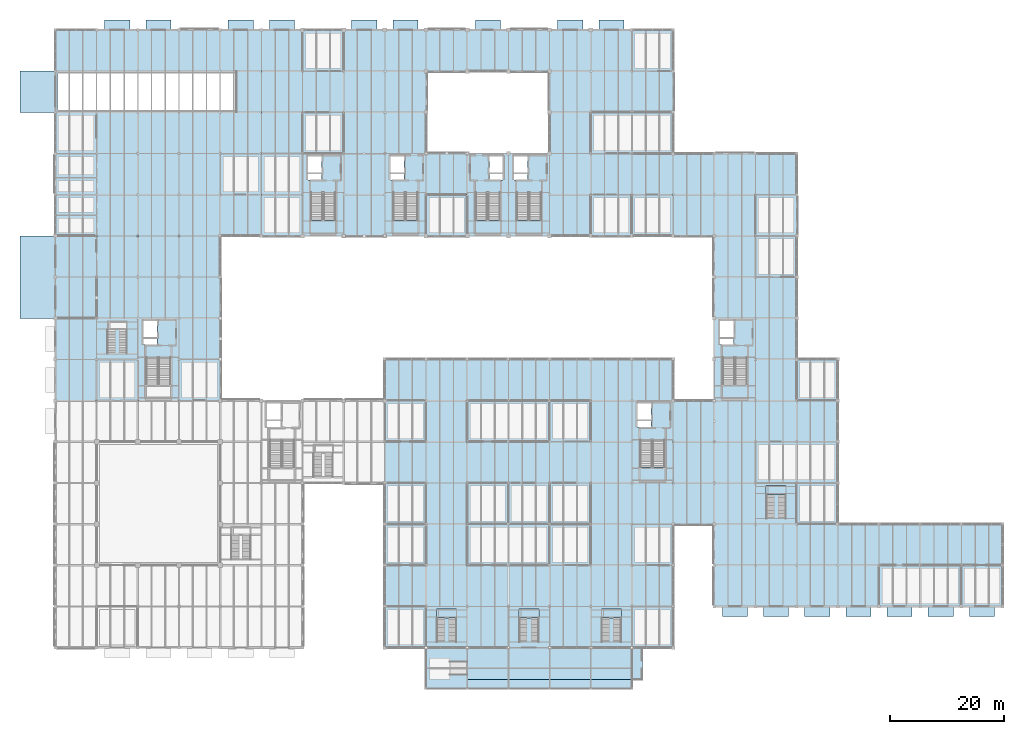
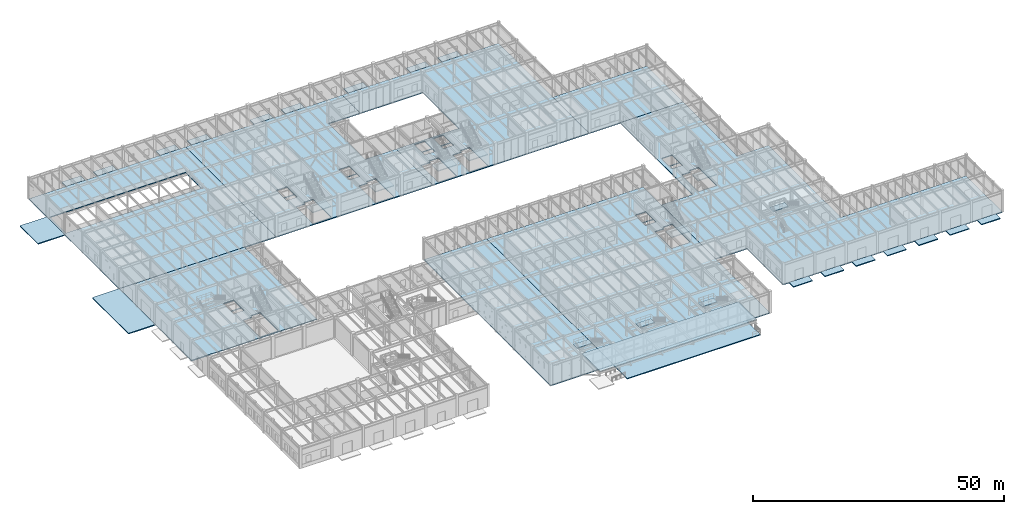
# One storey, part 30 of 97: 38 slabs, 10 elements without a shape of their own.
"""IFC4 building model written with IfcOpenShell, lengths in metres."""

from ifc_helpers import new_model, si_unit, direction, frame, origin, place, context, subcontext, project, spatial, polyline, outline, extrude, material, layer, layer_set, type_object, element, aggregate, save


model = new_model("IFC4")

# Units and contexts
model_context = context("Model", 3, precision=1e-05, world=origin(), true_north=direction((0.0, 1.0)))
body_context = subcontext(model_context, "Body", "Model", "MODEL_VIEW")
ifc_project = project(units=[si_unit("LENGTHUNIT", "METRE"), si_unit("AREAUNIT", "SQUARE_METRE"), si_unit("VOLUMEUNIT", "CUBIC_METRE"), si_unit("PLANEANGLEUNIT", "RADIAN"), si_unit("MASSUNIT", "GRAM", prefix="KILO")], contexts=[model_context])

# Site, building, storey
site_placement = place(None, origin())
site = spatial("IfcSite", under=ifc_project, at=site_placement, CompositionType="ELEMENT")
building_placement = place(site_placement, origin())
building = spatial("IfcBuilding", under=site, at=building_placement, Name="Sillqori Civic Hall", CompositionType="ELEMENT")
storey_placement = place(building_placement, origin())
storey = spatial("IfcBuildingStorey", under=building, at=storey_placement, Name="L01", CompositionType="ELEMENT", Elevation=0.0)

# Slabs
ifc_material_1 = material(Name="Concrete C35/45 (H35)", Category="concrete")
ifc_layer_1 = layer(ifc_material_1, 0.219970703125)
ifc_layer_set_1 = layer_set([ifc_layer_1], Name="Concrete C35/45 (H35)")
slab_type_1 = type_object("IfcSlabType", Name="SLB-BASE-220", PredefinedType="BASESLAB", material=ifc_layer_set_1)
slab_1_placement = place(storey_placement, frame((0.0, 0.0, -0.219970703125)))
element("IfcSlab", 1, at=slab_1_placement, inside=storey, type_object=slab_type_1, Name="Car park ramp grade apron", PredefinedType="BASESLAB", context=body_context, shape_type="SweptSolid", body=[
    extrude(outline(polyline([(7.199951171875, 100.800048828125), (7.199951171875, 108.0), (1.0, 108.0), (1.0, 100.800048828125), (7.199951171875, 100.800048828125)])), origin(), (0.0, 0.0, 1.0), 0.219970703125),
])
slab_2_placement = place(storey_placement, frame((0.0, 0.0, -0.219970703125)))
element("IfcSlab", 2, at=slab_2_placement, inside=storey, type_object=slab_type_1, Name="Truck loading dock grade apron", PredefinedType="BASESLAB", context=body_context, shape_type="SweptSolid", body=[
    extrude(outline(polyline([(7.199951171875, 64.800048828125), (7.199951171875, 79.199951171875), (1.0, 79.199951171875), (1.0, 64.800048828125), (7.199951171875, 64.800048828125)])), origin(), (0.0, 0.0, 1.0), 0.219970703125),
])
slab_3_placement = place(storey_placement, frame((0.0, 0.0, -0.219970703125)))
element("IfcSlab", 3, at=slab_3_placement, inside=storey, type_object=slab_type_1, Name="Forecourt accessible arrival deck", PredefinedType="BASESLAB", context=body_context, shape_type="SweptSolid", body=[
    extrude(outline(polyline([(109.800048828125, 1.60009765625), (109.800048828125, 7.199951171875), (79.199951171875, 7.199951171875), (79.199951171875, 1.60009765625), (109.800048828125, 1.60009765625)])), origin(), (0.0, 0.0, 1.0), 0.219970703125),
])
slab_4_placement = place(storey_placement, frame((0.0, 0.0, -0.219970703125)))
element("IfcSlab", 4, at=slab_4_placement, inside=storey, type_object=slab_type_1, Name="North Civic Garden Far West Exit entrance landing pad", PredefinedType="BASESLAB", context=body_context, shape_type="SweptSolid", body=[
    extrude(outline(polyline([(15.800048828125, 115.199951171875), (20.199951171875, 115.199951171875), (20.199951171875, 116.949951171875), (15.800048828125, 116.949951171875), (15.800048828125, 115.199951171875)])), origin(), (0.0, 0.0, 1.0), 0.219970703125),
])
slab_5_placement = place(storey_placement, frame((0.0, 0.0, -0.219970703125)))
element("IfcSlab", 5, at=slab_5_placement, inside=storey, type_object=slab_type_1, Name="North Civic Garden West Exit entrance landing pad", PredefinedType="BASESLAB", context=body_context, shape_type="SweptSolid", body=[
    extrude(outline(polyline([(23.0, 115.199951171875), (27.39990234375, 115.199951171875), (27.39990234375, 116.949951171875), (23.0, 116.949951171875), (23.0, 115.199951171875)])), origin(), (0.0, 0.0, 1.0), 0.219970703125),
])
slab_6_placement = place(storey_placement, frame((0.0, 0.0, -0.219970703125)))
element("IfcSlab", 6, at=slab_6_placement, inside=storey, type_object=slab_type_1, Name="North Civic Garden Promenade Exit entrance landing pad", PredefinedType="BASESLAB", context=body_context, shape_type="SweptSolid", body=[
    extrude(outline(polyline([(37.39990234375, 115.199951171875), (41.800048828125, 115.199951171875), (41.800048828125, 116.949951171875), (37.39990234375, 116.949951171875), (37.39990234375, 115.199951171875)])), origin(), (0.0, 0.0, 1.0), 0.219970703125),
])
slab_7_placement = place(storey_placement, frame((0.0, 0.0, -0.219970703125)))
element("IfcSlab", 7, at=slab_7_placement, inside=storey, type_object=slab_type_1, Name="North Civic Garden Core C5 Exit entrance landing pad", PredefinedType="BASESLAB", context=body_context, shape_type="SweptSolid", body=[
    extrude(outline(polyline([(44.60009765625, 115.199951171875), (49.0, 115.199951171875), (49.0, 116.949951171875), (44.60009765625, 116.949951171875), (44.60009765625, 115.199951171875)])), origin(), (0.0, 0.0, 1.0), 0.219970703125),
])
slab_8_placement = place(storey_placement, frame((0.0, 0.0, -0.219970703125)))
element("IfcSlab", 8, at=slab_8_placement, inside=storey, type_object=slab_type_1, Name="North Civic Garden Core C6 Exit entrance landing pad", PredefinedType="BASESLAB", context=body_context, shape_type="SweptSolid", body=[
    extrude(outline(polyline([(59.0, 115.199951171875), (63.39990234375, 115.199951171875), (63.39990234375, 116.949951171875), (59.0, 116.949951171875), (59.0, 115.199951171875)])), origin(), (0.0, 0.0, 1.0), 0.219970703125),
])
slab_9_placement = place(storey_placement, frame((0.0, 0.0, -0.219970703125)))
element("IfcSlab", 9, at=slab_9_placement, inside=storey, type_object=slab_type_1, Name="North Civic Garden Courtyard Portal entrance landing pad", PredefinedType="BASESLAB", context=body_context, shape_type="SweptSolid", body=[
    extrude(outline(polyline([(66.199951171875, 115.199951171875), (70.60009765625, 115.199951171875), (70.60009765625, 116.949951171875), (66.199951171875, 116.949951171875), (66.199951171875, 115.199951171875)])), origin(), (0.0, 0.0, 1.0), 0.219970703125),
])
slab_10_placement = place(storey_placement, frame((0.0, 0.0, -0.219970703125)))
element("IfcSlab", 10, at=slab_10_placement, inside=storey, type_object=slab_type_1, Name="North Civic Garden Courtyard Exit entrance landing pad", PredefinedType="BASESLAB", context=body_context, shape_type="SweptSolid", body=[
    extrude(outline(polyline([(80.60009765625, 115.199951171875), (85.0, 115.199951171875), (85.0, 116.949951171875), (80.60009765625, 116.949951171875), (80.60009765625, 115.199951171875)])), origin(), (0.0, 0.0, 1.0), 0.219970703125),
])
slab_11_placement = place(storey_placement, frame((0.0, 0.0, -0.219970703125)))
element("IfcSlab", 11, at=slab_11_placement, inside=storey, type_object=slab_type_1, Name="North Civic Garden Core C8 Exit entrance landing pad", PredefinedType="BASESLAB", context=body_context, shape_type="SweptSolid", body=[
    extrude(outline(polyline([(95.0, 115.199951171875), (99.39990234375, 115.199951171875), (99.39990234375, 116.949951171875), (95.0, 116.949951171875), (95.0, 115.199951171875)])), origin(), (0.0, 0.0, 1.0), 0.219970703125),
])
slab_12_placement = place(storey_placement, frame((0.0, 0.0, -0.219970703125)))
element("IfcSlab", 12, at=slab_12_placement, inside=storey, type_object=slab_type_1, Name="North Civic Garden East Exit entrance landing pad", PredefinedType="BASESLAB", context=body_context, shape_type="SweptSolid", body=[
    extrude(outline(polyline([(102.199951171875, 115.199951171875), (106.60009765625, 115.199951171875), (106.60009765625, 116.949951171875), (102.199951171875, 116.949951171875), (102.199951171875, 115.199951171875)])), origin(), (0.0, 0.0, 1.0), 0.219970703125),
])
slab_13_placement = place(storey_placement, frame((0.0, 0.0, -0.219970703125)))
element("IfcSlab", 13, at=slab_13_placement, inside=storey, type_object=slab_type_1, Name="Members Library West Entrance entrance landing pad", PredefinedType="BASESLAB", context=body_context, shape_type="SweptSolid", body=[
    extrude(outline(polyline([(123.800048828125, 12.64990234375), (128.199951171875, 12.64990234375), (128.199951171875, 14.39990234375), (123.800048828125, 14.39990234375), (123.800048828125, 12.64990234375)])), origin(), (0.0, 0.0, 1.0), 0.219970703125),
])
slab_14_placement = place(storey_placement, frame((0.0, 0.0, -0.219970703125)))
element("IfcSlab", 14, at=slab_14_placement, inside=storey, type_object=slab_type_1, Name="Members Library Pavilion Entrance entrance landing pad", PredefinedType="BASESLAB", context=body_context, shape_type="SweptSolid", body=[
    extrude(outline(polyline([(131.0, 12.64990234375), (135.39990234375, 12.64990234375), (135.39990234375, 14.39990234375), (131.0, 14.39990234375), (131.0, 12.64990234375)])), origin(), (0.0, 0.0, 1.0), 0.219970703125),
])
slab_15_placement = place(storey_placement, frame((0.0, 0.0, -0.219970703125)))
element("IfcSlab", 15, at=slab_15_placement, inside=storey, type_object=slab_type_1, Name="Members Library Central Portal entrance landing pad", PredefinedType="BASESLAB", context=body_context, shape_type="SweptSolid", body=[
    extrude(outline(polyline([(138.199951171875, 12.64990234375), (142.60009765625, 12.64990234375), (142.60009765625, 14.39990234375), (138.199951171875, 14.39990234375), (138.199951171875, 12.64990234375)])), origin(), (0.0, 0.0, 1.0), 0.219970703125),
])
slab_16_placement = place(storey_placement, frame((0.0, 0.0, -0.219970703125)))
element("IfcSlab", 16, at=slab_16_placement, inside=storey, type_object=slab_type_1, Name="Library Garden East Promenade Exit entrance landing pad", PredefinedType="BASESLAB", context=body_context, shape_type="SweptSolid", body=[
    extrude(outline(polyline([(145.39990234375, 12.64990234375), (149.800048828125, 12.64990234375), (149.800048828125, 14.39990234375), (145.39990234375, 14.39990234375), (145.39990234375, 12.64990234375)])), origin(), (0.0, 0.0, 1.0), 0.219970703125),
])
slab_17_placement = place(storey_placement, frame((0.0, 0.0, -0.219970703125)))
element("IfcSlab", 17, at=slab_17_placement, inside=storey, type_object=slab_type_1, Name="Library Cloister South Exit entrance landing pad", PredefinedType="BASESLAB", context=body_context, shape_type="SweptSolid", body=[
    extrude(outline(polyline([(152.60009765625, 12.64990234375), (157.0, 12.64990234375), (157.0, 14.39990234375), (152.60009765625, 14.39990234375), (152.60009765625, 12.64990234375)])), origin(), (0.0, 0.0, 1.0), 0.219970703125),
])
slab_18_placement = place(storey_placement, frame((0.0, 0.0, -0.219970703125)))
element("IfcSlab", 18, at=slab_18_placement, inside=storey, type_object=slab_type_1, Name="Library Archive Garden Portal entrance landing pad", PredefinedType="BASESLAB", context=body_context, shape_type="SweptSolid", body=[
    extrude(outline(polyline([(159.800048828125, 12.64990234375), (164.199951171875, 12.64990234375), (164.199951171875, 14.39990234375), (159.800048828125, 14.39990234375), (159.800048828125, 12.64990234375)])), origin(), (0.0, 0.0, 1.0), 0.219970703125),
])
slab_19_placement = place(storey_placement, frame((0.0, 0.0, -0.219970703125)))
element("IfcSlab", 19, at=slab_19_placement, inside=storey, type_object=slab_type_1, Name="Library Pavilion Far East Exit entrance landing pad", PredefinedType="BASESLAB", context=body_context, shape_type="SweptSolid", body=[
    extrude(outline(polyline([(167.0, 12.64990234375), (171.39990234375, 12.64990234375), (171.39990234375, 14.39990234375), (167.0, 14.39990234375), (167.0, 12.64990234375)])), origin(), (0.0, 0.0, 1.0), 0.219970703125),
])
ifc_material_2 = material(Name="Precast concrete C40/50 (H40)", Category="concrete")
ifc_layer_2 = layer(ifc_material_2, 0.179931640625)
ifc_layer_set_2 = layer_set([ifc_layer_2], Name="Precast concrete C40/50 (H40)")
slab_type_2 = type_object("IfcSlabType", Name="SLB-CAN-180", PredefinedType="ROOF", material=ifc_layer_set_2)
slab_20_placement = place(storey_placement, frame((0.0, 0.0, 5.02001953125)))
element("IfcSlab", 20, at=slab_20_placement, inside=storey, type_object=slab_type_2, Name="Civic Forecourt Entrance Canopy roof deck", PredefinedType="ROOF", context=body_context, shape_type="SweptSolid", body=[
    extrude(outline(polyline([(108.0, 0.0), (108.0, 7.199951171875), (72.0, 7.199951171875), (72.0, 0.0), (108.0, 0.0)])), origin(), (0.0, 0.0, 1.0), 0.179931640625),
])
ifc_material_3 = material(Name="Concrete C30/37 (H30)", Category="concrete")
ifc_layer_3 = layer(ifc_material_3, 0.219970703125)
ifc_layer_set_3 = layer_set([ifc_layer_3], Name="Concrete C30/37 (H30)")
slab_type_3 = type_object("IfcSlabType", Name="SLB-FLR-220", PredefinedType="FLOOR", material=ifc_layer_set_3)
slab_21_placement = place(storey_placement, frame((0.0, 0.0, -0.219970703125)))
element("IfcSlab", 21, at=slab_21_placement, inside=storey, type_object=slab_type_3, Name="L01 V2 composite floor slab 1.1", PredefinedType="FLOOR", context=body_context, shape_type="SweptSolid", body=[
    extrude(outline(polyline([(64.800048828125, 21.60009765625), (64.800048828125, 28.800048828125), (64.800048828125, 36.0), (64.800048828125, 43.199951171875), (64.800048828125, 50.39990234375), (64.800048828125, 57.60009765625), (72.0, 57.60009765625), (79.199951171875, 57.60009765625), (79.199951171875, 50.39990234375), (79.199951171875, 43.199951171875), (79.199951171875, 36.0), (79.199951171875, 28.800048828125), (79.199951171875, 21.60009765625), (79.199951171875, 14.39990234375), (79.199951171875, 7.199951171875), (72.0, 7.199951171875), (64.800048828125, 7.199951171875), (64.800048828125, 14.39990234375), (64.800048828125, 21.60009765625)])), origin(), (0.0, 0.0, 1.0), 0.219970703125),
])
slab_22_placement = place(storey_placement, frame((0.0, 0.0, -0.219970703125)))
element("IfcSlab", 22, at=slab_22_placement, inside=storey, type_object=slab_type_3, Name="L01 V2 composite floor slab 2.1", PredefinedType="FLOOR", context=body_context, shape_type="SweptSolid", body=[
    extrude(outline(polyline([(79.199951171875, 14.39990234375), (79.199951171875, 21.60009765625), (79.199951171875, 28.800048828125), (79.199951171875, 36.0), (79.199951171875, 43.199951171875), (79.199951171875, 50.39990234375), (79.199951171875, 57.60009765625), (86.39990234375, 57.60009765625), (93.60009765625, 57.60009765625), (100.800048828125, 57.60009765625), (108.0, 57.60009765625), (115.199951171875, 57.60009765625), (115.199951171875, 50.39990234375), (115.199951171875, 43.199951171875), (115.199951171875, 36.0), (115.199951171875, 28.800048828125), (115.199951171875, 21.60009765625), (115.199951171875, 14.39990234375), (115.199951171875, 7.199951171875), (108.0, 7.199951171875), (100.800048828125, 7.199951171875), (93.60009765625, 7.199951171875), (86.39990234375, 7.199951171875), (79.199951171875, 7.199951171875), (79.199951171875, 14.39990234375)]), holes=[polyline([(111.56005859375, 43.02001953125), (109.4599609375, 43.02001953125), (109.4599609375, 36.35009765625), (113.739990234375, 36.35009765625), (113.739990234375, 43.570068359375), (111.56005859375, 43.570068359375), (111.56005859375, 43.02001953125)]), polyline([(111.35009765625, 45.800048828125), (111.35009765625, 46.89990234375), (108.949951171875, 46.89990234375), (108.949951171875, 45.800048828125), (111.35009765625, 45.800048828125)]), polyline([(111.35009765625, 49.949951171875), (108.949951171875, 49.949951171875), (108.949951171875, 47.050048828125), (111.35009765625, 47.050048828125), (111.35009765625, 49.949951171875)])]), origin(), (0.0, 0.0, 1.0), 0.219970703125),
])
slab_23_placement = place(storey_placement, frame((0.0, 0.0, -0.219970703125)))
element("IfcSlab", 23, at=slab_23_placement, inside=storey, type_object=slab_type_3, Name="L01 V3 composite floor slab 3.1", PredefinedType="FLOOR", context=body_context, shape_type="SweptSolid", body=[
    extrude(outline(polyline([(122.39990234375, 28.800048828125), (115.199951171875, 28.800048828125), (115.199951171875, 36.0), (115.199951171875, 43.199951171875), (115.199951171875, 50.39990234375), (122.39990234375, 50.39990234375), (122.39990234375, 57.60009765625), (122.39990234375, 64.800048828125), (122.39990234375, 72.0), (122.39990234375, 79.199951171875), (129.60009765625, 79.199951171875), (136.800048828125, 79.199951171875), (136.800048828125, 72.0), (136.800048828125, 64.800048828125), (136.800048828125, 57.60009765625), (144.0, 57.60009765625), (144.0, 50.39990234375), (144.0, 43.199951171875), (144.0, 36.0), (144.0, 28.800048828125), (151.199951171875, 28.800048828125), (158.39990234375, 28.800048828125), (165.60009765625, 28.800048828125), (172.800048828125, 28.800048828125), (172.800048828125, 21.60009765625), (172.800048828125, 14.39990234375), (165.60009765625, 14.39990234375), (158.39990234375, 14.39990234375), (151.199951171875, 14.39990234375), (144.0, 14.39990234375), (136.800048828125, 14.39990234375), (129.60009765625, 14.39990234375), (122.39990234375, 14.39990234375), (122.39990234375, 21.60009765625), (122.39990234375, 28.800048828125)]), holes=[polyline([(125.9599609375, 57.419921875), (123.860107421875, 57.419921875), (123.860107421875, 50.75), (128.139892578125, 50.75), (128.139892578125, 57.969970703125), (125.9599609375, 57.969970703125), (125.9599609375, 57.419921875)]), polyline([(125.75, 60.199951171875), (125.75, 61.300048828125), (123.35009765625, 61.300048828125), (123.35009765625, 60.199951171875), (125.75, 60.199951171875)]), polyline([(125.75, 64.35009765625), (123.35009765625, 64.35009765625), (123.35009765625, 61.449951171875), (125.75, 61.449951171875), (125.75, 64.35009765625)])]), origin(), (0.0, 0.0, 1.0), 0.219970703125),
])
slab_24_placement = place(storey_placement, frame((0.0, 0.0, -0.219970703125)))
element("IfcSlab", 24, at=slab_24_placement, inside=storey, type_object=slab_type_3, Name="L01 V4 composite floor slab 0.1", PredefinedType="FLOOR", context=body_context, shape_type="SweptSolid", body=[
    extrude(outline(polyline([(7.199951171875, 108.0), (7.199951171875, 115.199951171875), (14.39990234375, 115.199951171875), (21.60009765625, 115.199951171875), (28.800048828125, 115.199951171875), (36.0, 115.199951171875), (43.199951171875, 115.199951171875), (43.199951171875, 108.0), (43.199951171875, 100.800048828125), (43.199951171875, 93.60009765625), (43.199951171875, 86.39990234375), (43.199951171875, 79.199951171875), (36.0, 79.199951171875), (28.800048828125, 79.199951171875), (21.60009765625, 79.199951171875), (14.39990234375, 79.199951171875), (7.199951171875, 79.199951171875), (7.199951171875, 86.39990234375), (7.199951171875, 93.60009765625), (7.199951171875, 100.800048828125), (7.199951171875, 108.0)]), holes=[polyline([(38.800048828125, 107.60009765625), (7.60009765625, 107.60009765625), (7.60009765625, 101.199951171875), (38.800048828125, 101.199951171875), (38.800048828125, 107.60009765625)])]), origin(), (0.0, 0.0, 1.0), 0.219970703125),
])
slab_25_placement = place(storey_placement, frame((0.0, 0.0, -0.219970703125)))
element("IfcSlab", 25, at=slab_25_placement, inside=storey, type_object=slab_type_3, Name="L01 V4 composite floor slab 1.1", PredefinedType="FLOOR", context=body_context, shape_type="SweptSolid", body=[
    extrude(outline(polyline([(43.199951171875, 108.0), (43.199951171875, 115.199951171875), (50.39990234375, 115.199951171875), (57.60009765625, 115.199951171875), (64.800048828125, 115.199951171875), (72.0, 115.199951171875), (79.199951171875, 115.199951171875), (79.199951171875, 108.0), (72.0, 108.0), (72.0, 100.800048828125), (72.0, 93.60009765625), (79.199951171875, 93.60009765625), (79.199951171875, 86.39990234375), (79.199951171875, 79.199951171875), (72.0, 79.199951171875), (64.800048828125, 79.199951171875), (57.60009765625, 79.199951171875), (50.39990234375, 79.199951171875), (43.199951171875, 79.199951171875), (43.199951171875, 86.39990234375), (43.199951171875, 93.60009765625), (43.199951171875, 100.800048828125), (43.199951171875, 108.0)]), holes=[polyline([(51.860107421875, 86.219970703125), (51.860107421875, 79.550048828125), (56.139892578125, 79.550048828125), (56.139892578125, 86.77001953125), (53.9599609375, 86.77001953125), (53.9599609375, 86.219970703125), (51.860107421875, 86.219970703125)]), polyline([(68.360107421875, 86.219970703125), (66.260009765625, 86.219970703125), (66.260009765625, 79.550048828125), (70.5400390625, 79.550048828125), (70.5400390625, 86.77001953125), (68.360107421875, 86.77001953125), (68.360107421875, 86.219970703125)]), polyline([(53.75, 89.0), (53.75, 90.10009765625), (51.35009765625, 90.10009765625), (51.35009765625, 89.0), (53.75, 89.0)]), polyline([(68.14990234375, 90.10009765625), (65.75, 90.10009765625), (65.75, 89.0), (68.14990234375, 89.0), (68.14990234375, 90.10009765625)]), polyline([(53.75, 90.25), (53.75, 93.14990234375), (51.35009765625, 93.14990234375), (51.35009765625, 90.25), (53.75, 90.25)]), polyline([(68.14990234375, 90.25), (68.14990234375, 93.14990234375), (65.75, 93.14990234375), (65.75, 90.25), (68.14990234375, 90.25)])]), origin(), (0.0, 0.0, 1.0), 0.219970703125),
])
slab_26_placement = place(storey_placement, frame((0.0, 0.0, -0.219970703125)))
element("IfcSlab", 26, at=slab_26_placement, inside=storey, type_object=slab_type_3, Name="L01 V4 composite floor slab 2.1", PredefinedType="FLOOR", context=body_context, shape_type="SweptSolid", body=[
    extrude(outline(polyline([(93.60009765625, 93.60009765625), (93.60009765625, 100.800048828125), (93.60009765625, 108.0), (86.39990234375, 108.0), (79.199951171875, 108.0), (79.199951171875, 115.199951171875), (86.39990234375, 115.199951171875), (93.60009765625, 115.199951171875), (100.800048828125, 115.199951171875), (108.0, 115.199951171875), (115.199951171875, 115.199951171875), (115.199951171875, 108.0), (115.199951171875, 100.800048828125), (115.199951171875, 93.60009765625), (115.199951171875, 86.39990234375), (115.199951171875, 79.199951171875), (108.0, 79.199951171875), (100.800048828125, 79.199951171875), (93.60009765625, 79.199951171875), (86.39990234375, 79.199951171875), (79.199951171875, 79.199951171875), (79.199951171875, 86.39990234375), (79.199951171875, 93.60009765625), (86.39990234375, 93.60009765625), (93.60009765625, 93.60009765625)]), holes=[polyline([(82.760009765625, 86.219970703125), (80.659912109375, 86.219970703125), (80.659912109375, 79.550048828125), (84.93994140625, 79.550048828125), (84.93994140625, 86.77001953125), (82.760009765625, 86.77001953125), (82.760009765625, 86.219970703125)]), polyline([(89.9599609375, 86.219970703125), (87.860107421875, 86.219970703125), (87.860107421875, 79.550048828125), (92.139892578125, 79.550048828125), (92.139892578125, 86.77001953125), (89.9599609375, 86.77001953125), (89.9599609375, 86.219970703125)]), polyline([(85.449951171875, 89.0), (85.449951171875, 90.10009765625), (83.050048828125, 90.10009765625), (83.050048828125, 89.0), (85.449951171875, 89.0)]), polyline([(89.75, 89.0), (89.75, 90.10009765625), (87.35009765625, 90.10009765625), (87.35009765625, 89.0), (89.75, 89.0)]), polyline([(85.449951171875, 90.25), (85.449951171875, 93.14990234375), (83.050048828125, 93.14990234375), (83.050048828125, 90.25), (85.449951171875, 90.25)]), polyline([(89.75, 90.25), (89.75, 93.14990234375), (87.35009765625, 93.14990234375), (87.35009765625, 90.25), (89.75, 90.25)])]), origin(), (0.0, 0.0, 1.0), 0.219970703125),
])
slab_27_placement = place(storey_placement, frame((0.0, 0.0, -0.219970703125)))
element("IfcSlab", 27, at=slab_27_placement, inside=storey, type_object=slab_type_3, Name="L01 V4 composite floor slab 3.1", PredefinedType="FLOOR", context=body_context, shape_type="SweptSolid", body=[
    extrude(outline(polyline([(115.199951171875, 93.60009765625), (122.39990234375, 93.60009765625), (129.60009765625, 93.60009765625), (136.800048828125, 93.60009765625), (136.800048828125, 86.39990234375), (136.800048828125, 79.199951171875), (129.60009765625, 79.199951171875), (122.39990234375, 79.199951171875), (115.199951171875, 79.199951171875), (115.199951171875, 86.39990234375), (115.199951171875, 93.60009765625)])), origin(), (0.0, 0.0, 1.0), 0.219970703125),
])
slab_28_placement = place(storey_placement, frame((0.0, 0.0, -0.219970703125)))
element("IfcSlab", 28, at=slab_28_placement, inside=storey, type_object=slab_type_3, Name="L01 V5 composite floor slab 0.1", PredefinedType="FLOOR", context=body_context, shape_type="SweptSolid", body=[
    extrude(outline(polyline([(7.199951171875, 79.199951171875), (14.39990234375, 79.199951171875), (21.60009765625, 79.199951171875), (28.800048828125, 79.199951171875), (36.0, 79.199951171875), (36.0, 72.0), (36.0, 64.800048828125), (36.0, 57.60009765625), (36.0, 50.39990234375), (28.800048828125, 50.39990234375), (21.60009765625, 50.39990234375), (14.39990234375, 50.39990234375), (7.199951171875, 50.39990234375), (7.199951171875, 57.60009765625), (7.199951171875, 64.800048828125), (7.199951171875, 72.0), (7.199951171875, 79.199951171875)]), holes=[polyline([(23.06005859375, 57.419921875), (23.06005859375, 50.75), (27.340087890625, 50.75), (27.340087890625, 57.969970703125), (25.159912109375, 57.969970703125), (25.159912109375, 57.419921875), (23.06005859375, 57.419921875)]), polyline([(24.949951171875, 60.199951171875), (24.949951171875, 61.300048828125), (22.550048828125, 61.300048828125), (22.550048828125, 60.199951171875), (24.949951171875, 60.199951171875)]), polyline([(24.949951171875, 61.449951171875), (24.949951171875, 64.35009765625), (22.550048828125, 64.35009765625), (22.550048828125, 61.449951171875), (24.949951171875, 61.449951171875)])]), origin(), (0.0, 0.0, 1.0), 0.219970703125),
])

# Stair, slab
stair_type_1 = type_object("IfcStairType", Name="STR-CORE-02", PredefinedType="DOUBLE_RETURN_STAIR", material=ifc_material_1)
stair_1_placement = place(storey_placement, origin())
stair_1 = element("IfcStair", 29, at=stair_1_placement, inside=storey, type_object=stair_type_1, Name="L01 Core exit stair ST-02", PredefinedType="DOUBLE_RETURN_STAIR")
ifc_layer_4 = layer(ifc_material_1, 0.199951171875)
ifc_layer_set_4 = layer_set([ifc_layer_4], Name="Concrete C35/45 (H35)")
slab_type_4 = type_object("IfcSlabType", Name="SLB-LND-220", PredefinedType="LANDING", material=ifc_layer_set_4)
slab_29_placement = place(storey_placement, frame((0.0, 0.0, 2.5)))
slab_29 = element("IfcSlab", 30, at=slab_29_placement, type_object=slab_type_4, Name="ST-02 landing 1", PredefinedType="LANDING", context=body_context, shape_type="SweptSolid", body=[
    extrude(outline(polyline([(123.824951171875, 53.169921875), (123.824951171875, 50.715087890625), (128.175048828125, 50.715087890625), (128.175048828125, 53.169921875), (123.824951171875, 53.169921875)])), origin(), (0.0, 0.0, 1.0), 0.199951171875),
])
aggregate(stair_1, [slab_29])

stair_type_2 = type_object("IfcStairType", Name="STR-CORE-03", PredefinedType="DOUBLE_RETURN_STAIR", material=ifc_material_1)
stair_2_placement = place(storey_placement, origin())
stair_2 = element("IfcStair", 31, at=stair_2_placement, inside=storey, type_object=stair_type_2, Name="L01 Core exit stair ST-03", PredefinedType="DOUBLE_RETURN_STAIR")
slab_30_placement = place(storey_placement, frame((0.0, 0.0, 2.5)))
slab_30 = element("IfcSlab", 32, at=slab_30_placement, type_object=slab_type_4, Name="ST-03 landing 1", PredefinedType="LANDING", context=body_context, shape_type="SweptSolid", body=[
    extrude(outline(polyline([(109.425048828125, 38.77001953125), (109.425048828125, 36.31494140625), (113.77490234375, 36.31494140625), (113.77490234375, 38.77001953125), (109.425048828125, 38.77001953125)])), origin(), (0.0, 0.0, 1.0), 0.199951171875),
])
aggregate(stair_2, [slab_30])

stair_type_3 = type_object("IfcStairType", Name="STR-CORE-05", PredefinedType="DOUBLE_RETURN_STAIR", material=ifc_material_1)
stair_3_placement = place(storey_placement, origin())
stair_3 = element("IfcStair", 33, at=stair_3_placement, inside=storey, type_object=stair_type_3, Name="L01 Core exit stair ST-05", PredefinedType="DOUBLE_RETURN_STAIR")
slab_31_placement = place(storey_placement, frame((0.0, 0.0, 2.5)))
slab_31 = element("IfcSlab", 34, at=slab_31_placement, type_object=slab_type_4, Name="ST-05 landing 1", PredefinedType="LANDING", context=body_context, shape_type="SweptSolid", body=[
    extrude(outline(polyline([(51.824951171875, 81.969970703125), (51.824951171875, 79.514892578125), (56.175048828125, 79.514892578125), (56.175048828125, 81.969970703125), (51.824951171875, 81.969970703125)])), origin(), (0.0, 0.0, 1.0), 0.199951171875),
])
aggregate(stair_3, [slab_31])

stair_type_4 = type_object("IfcStairType", Name="STR-CORE-06", PredefinedType="DOUBLE_RETURN_STAIR", material=ifc_material_1)
stair_4_placement = place(storey_placement, origin())
stair_4 = element("IfcStair", 35, at=stair_4_placement, inside=storey, type_object=stair_type_4, Name="L01 Core exit stair ST-06", PredefinedType="DOUBLE_RETURN_STAIR")
slab_32_placement = place(storey_placement, frame((0.0, 0.0, 2.5)))
slab_32 = element("IfcSlab", 36, at=slab_32_placement, type_object=slab_type_4, Name="ST-06 landing 1", PredefinedType="LANDING", context=body_context, shape_type="SweptSolid", body=[
    extrude(outline(polyline([(66.22509765625, 81.969970703125), (66.22509765625, 79.514892578125), (70.574951171875, 79.514892578125), (70.574951171875, 81.969970703125), (66.22509765625, 81.969970703125)])), origin(), (0.0, 0.0, 1.0), 0.199951171875),
])
aggregate(stair_4, [slab_32])

stair_type_5 = type_object("IfcStairType", Name="STR-CORE-07", PredefinedType="DOUBLE_RETURN_STAIR", material=ifc_material_1)
stair_5_placement = place(storey_placement, origin())
stair_5 = element("IfcStair", 37, at=stair_5_placement, inside=storey, type_object=stair_type_5, Name="L01 Core exit stair ST-07", PredefinedType="DOUBLE_RETURN_STAIR")
slab_33_placement = place(storey_placement, frame((0.0, 0.0, 2.5)))
slab_33 = element("IfcSlab", 38, at=slab_33_placement, type_object=slab_type_4, Name="ST-07 landing 1", PredefinedType="LANDING", context=body_context, shape_type="SweptSolid", body=[
    extrude(outline(polyline([(80.625, 81.969970703125), (80.625, 79.514892578125), (84.97509765625, 79.514892578125), (84.97509765625, 81.969970703125), (80.625, 81.969970703125)])), origin(), (0.0, 0.0, 1.0), 0.199951171875),
])
aggregate(stair_5, [slab_33])

stair_type_6 = type_object("IfcStairType", Name="STR-CORE-08", PredefinedType="DOUBLE_RETURN_STAIR", material=ifc_material_1)
stair_6_placement = place(storey_placement, origin())
stair_6 = element("IfcStair", 39, at=stair_6_placement, inside=storey, type_object=stair_type_6, Name="L01 Core exit stair ST-08", PredefinedType="DOUBLE_RETURN_STAIR")
slab_34_placement = place(storey_placement, frame((0.0, 0.0, 2.5)))
slab_34 = element("IfcSlab", 40, at=slab_34_placement, type_object=slab_type_4, Name="ST-08 landing 1", PredefinedType="LANDING", context=body_context, shape_type="SweptSolid", body=[
    extrude(outline(polyline([(87.824951171875, 81.969970703125), (87.824951171875, 79.514892578125), (92.175048828125, 79.514892578125), (92.175048828125, 81.969970703125), (87.824951171875, 81.969970703125)])), origin(), (0.0, 0.0, 1.0), 0.199951171875),
])
aggregate(stair_6, [slab_34])

ifc_material_4 = material(Name="Steel ASTM A992 and Honed Limestone Treads", Category="masonry")
stair_type_7 = type_object("IfcStairType", Name="STR-MON-540", PredefinedType="STRAIGHT_RUN_STAIR", material=ifc_material_4)
stair_7_placement = place(storey_placement, origin())
stair_7 = element("IfcStair", 41, at=stair_7_placement, inside=storey, type_object=stair_type_7, Name="Wedge Hall South-West Grand Stair L01-L02", PredefinedType="STRAIGHT_RUN_STAIR")
ifc_layer_5 = layer(ifc_material_1, 0.199951171875)
ifc_layer_set_5 = layer_set([ifc_layer_5], Name="Concrete C35/45 (H35)")
slab_type_5 = type_object("IfcSlabType", Name="SLB-MLND-200", PredefinedType="LANDING", material=ifc_layer_set_5)
slab_35_placement = place(storey_placement, frame((0.0, 0.0, 2.5)))
slab_35 = element("IfcSlab", 42, at=slab_35_placement, type_object=slab_type_5, Name="MS-01 landing 1", PredefinedType="LANDING", context=body_context, shape_type="SweptSolid", body=[
    extrude(outline(polyline([(73.840087890625, 12.39990234375), (77.360107421875, 12.39990234375), (77.360107421875, 13.929931640625), (73.840087890625, 13.929931640625), (73.840087890625, 12.39990234375)])), origin(), (0.0, 0.0, 1.0), 0.199951171875),
])
aggregate(stair_7, [slab_35])

stair_8_placement = place(storey_placement, origin())
stair_8 = element("IfcStair", 43, at=stair_8_placement, inside=storey, type_object=stair_type_7, Name="Wedge Hall South-East Grand Stair L01-L02", PredefinedType="STRAIGHT_RUN_STAIR")
slab_36_placement = place(storey_placement, frame((0.0, 0.0, 2.5)))
slab_36 = element("IfcSlab", 44, at=slab_36_placement, type_object=slab_type_5, Name="MS-04 landing 1", PredefinedType="LANDING", context=body_context, shape_type="SweptSolid", body=[
    extrude(outline(polyline([(102.639892578125, 12.39990234375), (106.159912109375, 12.39990234375), (106.159912109375, 13.929931640625), (102.639892578125, 13.929931640625), (102.639892578125, 12.39990234375)])), origin(), (0.0, 0.0, 1.0), 0.199951171875),
])
aggregate(stair_8, [slab_36])

stair_9_placement = place(storey_placement, origin())
stair_9 = element("IfcStair", 45, at=stair_9_placement, inside=storey, type_object=stair_type_7, Name="Citizens Service Central Stair L01-L02", PredefinedType="STRAIGHT_RUN_STAIR")
slab_37_placement = place(storey_placement, frame((0.0, 0.0, 2.5)))
slab_37 = element("IfcSlab", 46, at=slab_37_placement, type_object=slab_type_5, Name="MS-07 landing 1", PredefinedType="LANDING", context=body_context, shape_type="SweptSolid", body=[
    extrude(outline(polyline([(88.239990234375, 12.39990234375), (91.760009765625, 12.39990234375), (91.760009765625, 13.929931640625), (88.239990234375, 13.929931640625), (88.239990234375, 12.39990234375)])), origin(), (0.0, 0.0, 1.0), 0.199951171875),
])
aggregate(stair_9, [slab_37])

stair_10_placement = place(storey_placement, origin())
stair_10 = element("IfcStair", 47, at=stair_10_placement, inside=storey, type_object=stair_type_7, Name="Members Library Reading Stair L01-L02", PredefinedType="STRAIGHT_RUN_STAIR")
slab_38_placement = place(storey_placement, frame((0.0, 0.0, 2.5)))
slab_38 = element("IfcSlab", 48, at=slab_38_placement, type_object=slab_type_5, Name="MS-16 landing 1", PredefinedType="LANDING", context=body_context, shape_type="SweptSolid", body=[
    extrude(outline(polyline([(131.43994140625, 34.0), (134.9599609375, 34.0), (134.9599609375, 35.530029296875), (131.43994140625, 35.530029296875), (131.43994140625, 34.0)])), origin(), (0.0, 0.0, 1.0), 0.199951171875),
])
aggregate(stair_10, [slab_38])

save(model, "model.ifc")
